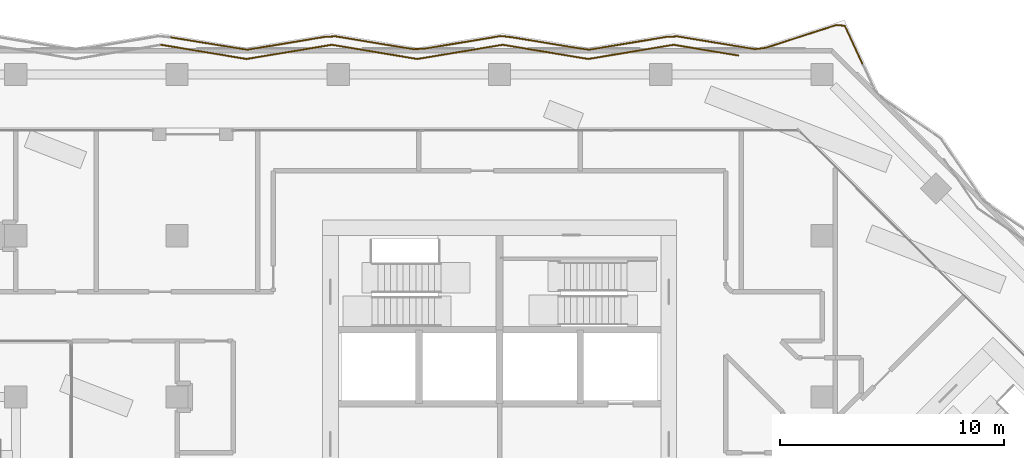
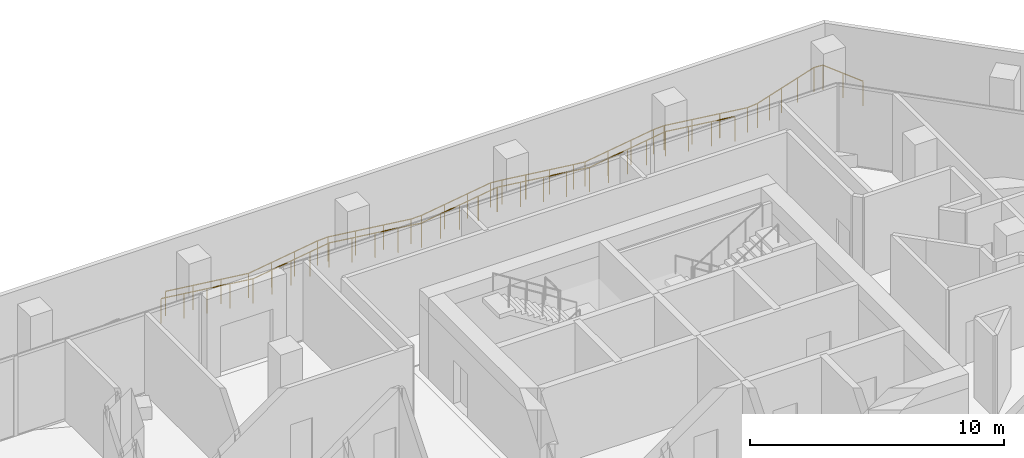
# One storey, part 20 of 23: 24 railings.
"""IFC4 building model written with IfcOpenShell, lengths in metres."""

from ifc_helpers import new_model, si_unit, direction, frame, origin, origin_2d, place, context, subcontext, project, spatial, circle, extrude, material, type_object, element, save


model = new_model("IFC4")

# Units and contexts
model_context = context("Model", 3, precision=1e-05, world=origin(), true_north=direction((0.0, 1.0)))
body_context = subcontext(model_context, "Body", "Model", "MODEL_VIEW")
ifc_project = project(units=[si_unit("LENGTHUNIT", "METRE"), si_unit("AREAUNIT", "SQUARE_METRE"), si_unit("VOLUMEUNIT", "CUBIC_METRE"), si_unit("PLANEANGLEUNIT", "RADIAN"), si_unit("MASSUNIT", "GRAM", prefix="KILO")], contexts=[model_context])

# Site, building, storey
site_placement = place(None, origin())
site = spatial("IfcSite", under=ifc_project, at=site_placement, CompositionType="ELEMENT")
building_placement = place(site_placement, origin())
building = spatial("IfcBuilding", under=site, at=building_placement, Name="Windrow Commons", CompositionType="ELEMENT")
storey_placement = place(building_placement, frame((0.0, 0.0, 122.0)))
storey = spatial("IfcBuildingStorey", under=building, at=storey_placement, Name="L33", CompositionType="ELEMENT", Elevation=122.0)

# Railings
ifc_material = material(Name="Stainless steel S316 balustrade with toughened glass infill", Category="steel")
railing_type = type_object("IfcRailingType", Name="Terrace guard 1200 podium", PredefinedType="BALUSTRADE", material=ifc_material)
railing_1_placement = place(storey_placement, frame((49.6853, 73.3262, 0.05)))
element("IfcRailing", 1, at=railing_1_placement, inside=storey, type_object=railing_type, Name="Guard TR-L33-1.E26", PredefinedType="BALUSTRADE", context=body_context, shape_type="SweptSolid", body=[
    extrude(circle(Radius=0.025, at=origin_2d()), frame((0.0, 0.0, 1.175), z_axis=(0.9865110911, -0.1636944324, 0.0), x_axis=(0.1636944324, 0.9865110911, 0.0)), (0.0, 0.0, 1.0), 3.867),
    extrude(circle(Radius=0.02, at=origin_2d()), origin(), (0.0, 0.0, 1.0), 1.15),
    extrude(circle(Radius=0.02, at=origin_2d()), frame((0.9537, -0.1582, 0.0)), (0.0, 0.0, 1.0), 1.15),
    extrude(circle(Radius=0.02, at=origin_2d()), frame((1.9074, -0.3165, 0.0)), (0.0, 0.0, 1.0), 1.15),
    extrude(circle(Radius=0.02, at=origin_2d()), frame((2.8611, -0.4747, 0.0)), (0.0, 0.0, 1.0), 1.15),
    extrude(circle(Radius=0.02, at=origin_2d()), frame((3.8148, -0.633, 0.0)), (0.0, 0.0, 1.0), 1.15),
])
railing_2_placement = place(storey_placement, frame((53.5001, 72.6932, 0.05)))
element("IfcRailing", 2, at=railing_2_placement, inside=storey, type_object=railing_type, Name="Guard TR-L33-1.E27", PredefinedType="BALUSTRADE", context=body_context, shape_type="SweptSolid", body=[
    extrude(circle(Radius=0.025, at=origin_2d()), frame((0.0, 0.0, 1.175), z_axis=(0.9865110911, 0.1636944324, 0.0), x_axis=(-0.1636944324, 0.9865110911, 0.0)), (0.0, 0.0, 1.0), 3.867),
    extrude(circle(Radius=0.02, at=origin_2d()), origin(), (0.0, 0.0, 1.0), 1.15),
    extrude(circle(Radius=0.02, at=origin_2d()), frame((0.9537, 0.1582, 0.0)), (0.0, 0.0, 1.0), 1.15),
    extrude(circle(Radius=0.02, at=origin_2d()), frame((1.9074, 0.3165, 0.0)), (0.0, 0.0, 1.0), 1.15),
    extrude(circle(Radius=0.02, at=origin_2d()), frame((2.8611, 0.4747, 0.0)), (0.0, 0.0, 1.0), 1.15),
    extrude(circle(Radius=0.02, at=origin_2d()), frame((3.8148, 0.633, 0.0)), (0.0, 0.0, 1.0), 1.15),
])
railing_3_placement = place(storey_placement, frame((57.3149, 73.3262, 0.05)))
element("IfcRailing", 3, at=railing_3_placement, inside=storey, type_object=railing_type, Name="Guard TR-L33-1.E28", PredefinedType="BALUSTRADE", context=body_context, shape_type="SweptSolid", body=[
    extrude(circle(Radius=0.025, at=origin_2d()), frame((0.0, 0.0, 1.175), z_axis=(0.9865110911, -0.1636944324, 0.0), x_axis=(0.1636944324, 0.9865110911, 0.0)), (0.0, 0.0, 1.0), 3.867),
    extrude(circle(Radius=0.02, at=origin_2d()), origin(), (0.0, 0.0, 1.0), 1.15),
    extrude(circle(Radius=0.02, at=origin_2d()), frame((0.9537, -0.1582, 0.0)), (0.0, 0.0, 1.0), 1.15),
    extrude(circle(Radius=0.02, at=origin_2d()), frame((1.9074, -0.3165, 0.0)), (0.0, 0.0, 1.0), 1.15),
    extrude(circle(Radius=0.02, at=origin_2d()), frame((2.8611, -0.4747, 0.0)), (0.0, 0.0, 1.0), 1.15),
    extrude(circle(Radius=0.02, at=origin_2d()), frame((3.8148, -0.633, 0.0)), (0.0, 0.0, 1.0), 1.15),
])
railing_4_placement = place(storey_placement, frame((61.1297, 72.6932, 0.05)))
element("IfcRailing", 4, at=railing_4_placement, inside=storey, type_object=railing_type, Name="Guard TR-L33-1.E29", PredefinedType="BALUSTRADE", context=body_context, shape_type="SweptSolid", body=[
    extrude(circle(Radius=0.025, at=origin_2d()), frame((0.0, 0.0, 1.175), z_axis=(0.9865103981, 0.1636986085, 0.0), x_axis=(-0.1636986085, 0.9865103981, 0.0)), (0.0, 0.0, 1.0), 3.8669),
    extrude(circle(Radius=0.02, at=origin_2d()), origin(), (0.0, 0.0, 1.0), 1.15),
    extrude(circle(Radius=0.02, at=origin_2d()), frame((0.9537, 0.1582, 0.0)), (0.0, 0.0, 1.0), 1.15),
    extrude(circle(Radius=0.02, at=origin_2d()), frame((1.9074, 0.3165, 0.0)), (0.0, 0.0, 1.0), 1.15),
    extrude(circle(Radius=0.02, at=origin_2d()), frame((2.861, 0.4747, 0.0)), (0.0, 0.0, 1.0), 1.15),
    extrude(circle(Radius=0.02, at=origin_2d()), frame((3.8147, 0.633, 0.0)), (0.0, 0.0, 1.0), 1.15),
])
railing_5_placement = place(storey_placement, frame((64.9444, 73.3262, 0.05)))
element("IfcRailing", 5, at=railing_5_placement, inside=storey, type_object=railing_type, Name="Guard TR-L33-1.E30", PredefinedType="BALUSTRADE", context=body_context, shape_type="SweptSolid", body=[
    extrude(circle(Radius=0.025, at=origin_2d()), frame((0.0, 0.0, 1.175), z_axis=(0.9865110911, -0.1636944324, 0.0), x_axis=(0.1636944324, 0.9865110911, 0.0)), (0.0, 0.0, 1.0), 3.867),
    extrude(circle(Radius=0.02, at=origin_2d()), origin(), (0.0, 0.0, 1.0), 1.15),
    extrude(circle(Radius=0.02, at=origin_2d()), frame((0.9537, -0.1582, 0.0)), (0.0, 0.0, 1.0), 1.15),
    extrude(circle(Radius=0.02, at=origin_2d()), frame((1.9074, -0.3165, 0.0)), (0.0, 0.0, 1.0), 1.15),
    extrude(circle(Radius=0.02, at=origin_2d()), frame((2.8611, -0.4747, 0.0)), (0.0, 0.0, 1.0), 1.15),
    extrude(circle(Radius=0.02, at=origin_2d()), frame((3.8148, -0.633, 0.0)), (0.0, 0.0, 1.0), 1.15),
])
railing_6_placement = place(storey_placement, frame((68.7592, 72.6932, 0.05)))
element("IfcRailing", 6, at=railing_6_placement, inside=storey, type_object=railing_type, Name="Guard TR-L33-1.E31", PredefinedType="BALUSTRADE", context=body_context, shape_type="SweptSolid", body=[
    extrude(circle(Radius=0.025, at=origin_2d()), frame((0.0, 0.0, 1.175), z_axis=(0.9865110911, 0.1636944324, 0.0), x_axis=(-0.1636944324, 0.9865110911, 0.0)), (0.0, 0.0, 1.0), 3.867),
    extrude(circle(Radius=0.02, at=origin_2d()), origin(), (0.0, 0.0, 1.0), 1.15),
    extrude(circle(Radius=0.02, at=origin_2d()), frame((0.9537, 0.1582, 0.0)), (0.0, 0.0, 1.0), 1.15),
    extrude(circle(Radius=0.02, at=origin_2d()), frame((1.9074, 0.3165, 0.0)), (0.0, 0.0, 1.0), 1.15),
    extrude(circle(Radius=0.02, at=origin_2d()), frame((2.8611, 0.4747, 0.0)), (0.0, 0.0, 1.0), 1.15),
    extrude(circle(Radius=0.02, at=origin_2d()), frame((3.8148, 0.633, 0.0)), (0.0, 0.0, 1.0), 1.15),
])
railing_7_placement = place(storey_placement, frame((72.574, 73.3262, 0.05)))
element("IfcRailing", 7, at=railing_7_placement, inside=storey, type_object=railing_type, Name="Guard TR-L33-1.E32", PredefinedType="BALUSTRADE", context=body_context, shape_type="SweptSolid", body=[
    extrude(circle(Radius=0.025, at=origin_2d()), frame((0.0, 0.0, 1.175), z_axis=(0.9865094058, -0.1637045887, 0.0), x_axis=(0.1637045887, 0.9865094058, 0.0)), (0.0, 0.0, 1.0), 2.9193),
    extrude(circle(Radius=0.02, at=origin_2d()), origin(), (0.0, 0.0, 1.0), 1.15),
    extrude(circle(Radius=0.02, at=origin_2d()), frame((0.96, -0.1593, 0.0)), (0.0, 0.0, 1.0), 1.15),
    extrude(circle(Radius=0.02, at=origin_2d()), frame((1.9199, -0.3186, 0.0)), (0.0, 0.0, 1.0), 1.15),
    extrude(circle(Radius=0.02, at=origin_2d()), frame((2.8799, -0.4779, 0.0)), (0.0, 0.0, 1.0), 1.15),
])
railing_8_placement = place(storey_placement, frame((78.0064, 73.6177, 0.05)))
element("IfcRailing", 8, at=railing_8_placement, inside=storey, type_object=railing_type, Name="Guard TR-L33-1.C44", PredefinedType="BALUSTRADE", context=body_context, shape_type="SweptSolid", body=[
    extrude(circle(Radius=0.025, at=origin_2d()), frame((0.0, 0.0, 1.175), z_axis=(0.9515211239, 0.3075834045, 0.0), x_axis=(-0.3075834045, 0.9515211239, 0.0)), (0.0, 0.0, 1.0), 1.9221),
    extrude(circle(Radius=0.02, at=origin_2d()), origin(), (0.0, 0.0, 1.0), 1.15),
    extrude(circle(Radius=0.02, at=origin_2d()), frame((0.9145, 0.2956, 0.0)), (0.0, 0.0, 1.0), 1.15),
    extrude(circle(Radius=0.02, at=origin_2d()), frame((1.8289, 0.5912, 0.0)), (0.0, 0.0, 1.0), 1.15),
])
railing_9_placement = place(storey_placement, frame((79.8353, 74.2089, 0.05)))
element("IfcRailing", 9, at=railing_9_placement, inside=storey, type_object=railing_type, Name="Guard TR-L33-1.C45", PredefinedType="BALUSTRADE", context=body_context, shape_type="SweptSolid", body=[
    extrude(circle(Radius=0.025, at=origin_2d()), frame((0.0, 0.0, 1.175), z_axis=(0.9960788306, -0.0884701261, 0.0), x_axis=(0.0884701261, 0.9960788306, 0.0)), (0.0, 0.0, 1.0), 0.3798),
    extrude(circle(Radius=0.02, at=origin_2d()), origin(), (0.0, 0.0, 1.0), 1.15),
    extrude(circle(Radius=0.02, at=origin_2d()), frame((0.3783, -0.0336, 0.0)), (0.0, 0.0, 1.0), 1.15),
])
railing_10_placement = place(storey_placement, frame((80.2136, 74.1753, 0.05)))
element("IfcRailing", 10, at=railing_10_placement, inside=storey, type_object=railing_type, Name="Guard TR-L33-1.C46", PredefinedType="BALUSTRADE", context=body_context, shape_type="SweptSolid", body=[
    extrude(circle(Radius=0.025, at=origin_2d()), frame((0.0, 0.0, 1.175), z_axis=(0.4230164731, -0.9061219915, 0.0), x_axis=(0.9061219915, 0.4230164731, 0.0)), (0.0, 0.0, 1.0), 1.9221),
    extrude(circle(Radius=0.02, at=origin_2d()), origin(), (0.0, 0.0, 1.0), 1.15),
    extrude(circle(Radius=0.02, at=origin_2d()), frame((0.4066, -0.8708, 0.0)), (0.0, 0.0, 1.0), 1.15),
    extrude(circle(Radius=0.02, at=origin_2d()), frame((0.8131, -1.7417, 0.0)), (0.0, 0.0, 1.0), 1.15),
])
railing_11_placement = place(storey_placement, frame((50.0823, 73.6658, 0.05)))
element("IfcRailing", 11, at=railing_11_placement, inside=storey, type_object=railing_type, Name="Guard TR-L33-1.C103", PredefinedType="BALUSTRADE", context=body_context, shape_type="SweptSolid", body=[
    extrude(circle(Radius=0.025, at=origin_2d()), frame((0.0, 0.0, 1.175), z_axis=(0.9869732573, -0.1608843975, 0.0), x_axis=(0.1608843975, 0.9869732573, 0.0)), (0.0, 0.0, 1.0), 3.4938),
    extrude(circle(Radius=0.02, at=origin_2d()), origin(), (0.0, 0.0, 1.0), 1.15),
    extrude(circle(Radius=0.02, at=origin_2d()), frame((1.1494, -0.1874, 0.0)), (0.0, 0.0, 1.0), 1.15),
    extrude(circle(Radius=0.02, at=origin_2d()), frame((2.2989, -0.3747, 0.0)), (0.0, 0.0, 1.0), 1.15),
    extrude(circle(Radius=0.02, at=origin_2d()), frame((3.4483, -0.5621, 0.0)), (0.0, 0.0, 1.0), 1.15),
])
railing_12_placement = place(storey_placement, frame((53.5306, 73.1037, 0.05)))
element("IfcRailing", 12, at=railing_12_placement, inside=storey, type_object=railing_type, Name="Guard TR-L33-1.C104", PredefinedType="BALUSTRADE", context=body_context, shape_type="SweptSolid", body=[
    extrude(circle(Radius=0.025, at=origin_2d()), frame((0.0, 0.0, 1.175), z_axis=(0.9865096624, 0.1637030418, 0.0), x_axis=(-0.1637030418, 0.9865096624, 0.0)), (0.0, 0.0, 1.0), 3.4954),
    extrude(circle(Radius=0.02, at=origin_2d()), origin(), (0.0, 0.0, 1.0), 1.15),
    extrude(circle(Radius=0.02, at=origin_2d()), frame((1.1494, 0.1907, 0.0)), (0.0, 0.0, 1.0), 1.15),
    extrude(circle(Radius=0.02, at=origin_2d()), frame((2.2988, 0.3815, 0.0)), (0.0, 0.0, 1.0), 1.15),
    extrude(circle(Radius=0.02, at=origin_2d()), frame((3.4482, 0.5722, 0.0)), (0.0, 0.0, 1.0), 1.15),
])
railing_13_placement = place(storey_placement, frame((56.9788, 73.6759, 0.05)))
element("IfcRailing", 13, at=railing_13_placement, inside=storey, type_object=railing_type, Name="Guard TR-L33-1.C105", PredefinedType="BALUSTRADE", context=body_context, shape_type="SweptSolid", body=[
    extrude(circle(Radius=0.025, at=origin_2d()), frame((0.0, 0.0, 1.175), z_axis=(0.9981751647, 0.0603849369, 0.0), x_axis=(-0.0603849369, 0.9981751647, 0.0)), (0.0, 0.0, 1.0), 0.4935),
    extrude(circle(Radius=0.02, at=origin_2d()), origin(), (0.0, 0.0, 1.0), 1.15),
    extrude(circle(Radius=0.02, at=origin_2d()), frame((0.4926, 0.0298, 0.0)), (0.0, 0.0, 1.0), 1.15),
])
railing_14_placement = place(storey_placement, frame((57.4714, 73.7057, 0.05)))
element("IfcRailing", 14, at=railing_14_placement, inside=storey, type_object=railing_type, Name="Guard TR-L33-1.C106", PredefinedType="BALUSTRADE", context=body_context, shape_type="SweptSolid", body=[
    extrude(circle(Radius=0.025, at=origin_2d()), frame((0.0, 0.0, 1.175), z_axis=(0.9865104291, -0.1636984217, 0.0), x_axis=(0.1636984217, 0.9865104291, 0.0)), (0.0, 0.0, 1.0), 3.4955),
    extrude(circle(Radius=0.02, at=origin_2d()), origin(), (0.0, 0.0, 1.0), 1.15),
    extrude(circle(Radius=0.02, at=origin_2d()), frame((1.1494, -0.1907, 0.0)), (0.0, 0.0, 1.0), 1.15),
    extrude(circle(Radius=0.02, at=origin_2d()), frame((2.2989, -0.3815, 0.0)), (0.0, 0.0, 1.0), 1.15),
    extrude(circle(Radius=0.02, at=origin_2d()), frame((3.4483, -0.5722, 0.0)), (0.0, 0.0, 1.0), 1.15),
])
railing_15_placement = place(storey_placement, frame((60.9197, 73.1335, 0.05)))
element("IfcRailing", 15, at=railing_15_placement, inside=storey, type_object=railing_type, Name="Guard TR-L33-1.C107", PredefinedType="BALUSTRADE", context=body_context, shape_type="SweptSolid", body=[
    extrude(circle(Radius=0.025, at=origin_2d()), frame((0.0, 0.0, 1.175), z_axis=(0.9997034141, 0.0243533109, 0.0), x_axis=(-0.0243533109, 0.9997034141, 0.0)), (0.0, 0.0, 1.0), 0.4927),
    extrude(circle(Radius=0.02, at=origin_2d()), origin(), (0.0, 0.0, 1.0), 1.15),
    extrude(circle(Radius=0.02, at=origin_2d()), frame((0.4926, 0.012, 0.0)), (0.0, 0.0, 1.0), 1.15),
])
railing_16_placement = place(storey_placement, frame((61.4123, 73.1455, 0.05)))
element("IfcRailing", 16, at=railing_16_placement, inside=storey, type_object=railing_type, Name="Guard TR-L33-1.C108", PredefinedType="BALUSTRADE", context=body_context, shape_type="SweptSolid", body=[
    extrude(circle(Radius=0.025, at=origin_2d()), frame((0.0, 0.0, 1.175), z_axis=(0.9865104291, 0.1636984217, 0.0), x_axis=(-0.1636984217, 0.9865104291, 0.0)), (0.0, 0.0, 1.0), 3.4955),
    extrude(circle(Radius=0.02, at=origin_2d()), origin(), (0.0, 0.0, 1.0), 1.15),
    extrude(circle(Radius=0.02, at=origin_2d()), frame((1.1494, 0.1907, 0.0)), (0.0, 0.0, 1.0), 1.15),
    extrude(circle(Radius=0.02, at=origin_2d()), frame((2.2989, 0.3815, 0.0)), (0.0, 0.0, 1.0), 1.15),
    extrude(circle(Radius=0.02, at=origin_2d()), frame((3.4483, 0.5722, 0.0)), (0.0, 0.0, 1.0), 1.15),
])
railing_17_placement = place(storey_placement, frame((64.8606, 73.7177, 0.05)))
element("IfcRailing", 17, at=railing_17_placement, inside=storey, type_object=railing_type, Name="Guard TR-L33-1.C109", PredefinedType="BALUSTRADE", context=body_context, shape_type="SweptSolid", body=[
    extrude(circle(Radius=0.025, at=origin_2d()), frame((0.0, 0.0, 1.175), z_axis=(0.9940669197, -0.1087702131, 0.0), x_axis=(0.1087702131, 0.9940669197, 0.0)), (0.0, 0.0, 1.0), 0.4955),
    extrude(circle(Radius=0.02, at=origin_2d()), origin(), (0.0, 0.0, 1.0), 1.15),
    extrude(circle(Radius=0.02, at=origin_2d()), frame((0.4926, -0.0539, 0.0)), (0.0, 0.0, 1.0), 1.15),
])
railing_18_placement = place(storey_placement, frame((65.3532, 73.6638, 0.05)))
element("IfcRailing", 18, at=railing_18_placement, inside=storey, type_object=railing_type, Name="Guard TR-L33-1.C110", PredefinedType="BALUSTRADE", context=body_context, shape_type="SweptSolid", body=[
    extrude(circle(Radius=0.025, at=origin_2d()), frame((0.0, 0.0, 1.175), z_axis=(0.9865127425, -0.1636844799, 0.0), x_axis=(0.1636844799, 0.9865127425, 0.0)), (0.0, 0.0, 1.0), 2.996),
    extrude(circle(Radius=0.02, at=origin_2d()), origin(), (0.0, 0.0, 1.0), 1.15),
    extrude(circle(Radius=0.02, at=origin_2d()), frame((0.9852, -0.1635, 0.0)), (0.0, 0.0, 1.0), 1.15),
    extrude(circle(Radius=0.02, at=origin_2d()), frame((1.9704, -0.3269, 0.0)), (0.0, 0.0, 1.0), 1.15),
    extrude(circle(Radius=0.02, at=origin_2d()), frame((2.9556, -0.4904, 0.0)), (0.0, 0.0, 1.0), 1.15),
])
railing_19_placement = place(storey_placement, frame((68.3088, 73.1734, 0.05)))
element("IfcRailing", 19, at=railing_19_placement, inside=storey, type_object=railing_type, Name="Guard TR-L33-1.C111", PredefinedType="BALUSTRADE", context=body_context, shape_type="SweptSolid", body=[
    extrude(circle(Radius=0.025, at=origin_2d()), frame((0.0, 0.0, 1.175), z_axis=(0.9906605118, -0.1363515686, 0.0), x_axis=(0.1363515686, 0.9906605118, 0.0)), (0.0, 0.0, 1.0), 0.4972),
    extrude(circle(Radius=0.02, at=origin_2d()), origin(), (0.0, 0.0, 1.0), 1.15),
    extrude(circle(Radius=0.02, at=origin_2d()), frame((0.4926, -0.0678, 0.0)), (0.0, 0.0, 1.0), 1.15),
])
railing_20_placement = place(storey_placement, frame((68.8014, 73.1056, 0.05)))
element("IfcRailing", 20, at=railing_20_placement, inside=storey, type_object=railing_type, Name="Guard TR-L33-1.C112", PredefinedType="BALUSTRADE", context=body_context, shape_type="SweptSolid", body=[
    extrude(circle(Radius=0.025, at=origin_2d()), frame((0.0, 0.0, 1.175), z_axis=(0.9865104291, 0.1636984217, 0.0), x_axis=(-0.1636984217, 0.9865104291, 0.0)), (0.0, 0.0, 1.0), 3.4955),
    extrude(circle(Radius=0.02, at=origin_2d()), origin(), (0.0, 0.0, 1.0), 1.15),
    extrude(circle(Radius=0.02, at=origin_2d()), frame((1.1494, 0.1907, 0.0)), (0.0, 0.0, 1.0), 1.15),
    extrude(circle(Radius=0.02, at=origin_2d()), frame((2.2989, 0.3815, 0.0)), (0.0, 0.0, 1.0), 1.15),
    extrude(circle(Radius=0.02, at=origin_2d()), frame((3.4483, 0.5722, 0.0)), (0.0, 0.0, 1.0), 1.15),
])
railing_21_placement = place(storey_placement, frame((72.2497, 73.6778, 0.05)))
element("IfcRailing", 21, at=railing_21_placement, inside=storey, type_object=railing_type, Name="Guard TR-L33-1.C113", PredefinedType="BALUSTRADE", context=body_context, shape_type="SweptSolid", body=[
    extrude(circle(Radius=0.025, at=origin_2d()), frame((0.0, 0.0, 1.175), z_axis=(0.998620628, 0.0525056319, 0.0), x_axis=(-0.0525056319, 0.998620628, 0.0)), (0.0, 0.0, 1.0), 0.4933),
    extrude(circle(Radius=0.02, at=origin_2d()), origin(), (0.0, 0.0, 1.0), 1.15),
    extrude(circle(Radius=0.02, at=origin_2d()), frame((0.4926, 0.0259, 0.0)), (0.0, 0.0, 1.0), 1.15),
])
railing_22_placement = place(storey_placement, frame((72.7423, 73.7037, 0.05)))
element("IfcRailing", 22, at=railing_22_placement, inside=storey, type_object=railing_type, Name="Guard TR-L33-1.C114", PredefinedType="BALUSTRADE", context=body_context, shape_type="SweptSolid", body=[
    extrude(circle(Radius=0.025, at=origin_2d()), frame((0.0, 0.0, 1.175), z_axis=(0.9865096624, -0.1637030418, 0.0), x_axis=(0.1637030418, 0.9865096624, 0.0)), (0.0, 0.0, 1.0), 3.4954),
    extrude(circle(Radius=0.02, at=origin_2d()), origin(), (0.0, 0.0, 1.0), 1.15),
    extrude(circle(Radius=0.02, at=origin_2d()), frame((1.1494, -0.1907, 0.0)), (0.0, 0.0, 1.0), 1.15),
    extrude(circle(Radius=0.02, at=origin_2d()), frame((2.2988, -0.3815, 0.0)), (0.0, 0.0, 1.0), 1.15),
    extrude(circle(Radius=0.02, at=origin_2d()), frame((3.4482, -0.5722, 0.0)), (0.0, 0.0, 1.0), 1.15),
])
railing_23_placement = place(storey_placement, frame((76.1905, 73.1315, 0.05)))
element("IfcRailing", 23, at=railing_23_placement, inside=storey, type_object=railing_type, Name="Guard TR-L33-1.C115", PredefinedType="BALUSTRADE", context=body_context, shape_type="SweptSolid", body=[
    extrude(circle(Radius=0.025, at=origin_2d()), frame((0.0, 0.0, 1.175), z_axis=(0.9934961191, 0.1138659801, 0.0), x_axis=(-0.1138659801, 0.9934961191, 0.0)), (0.0, 0.0, 1.0), 0.4857),
    extrude(circle(Radius=0.02, at=origin_2d()), origin(), (0.0, 0.0, 1.0), 1.15),
    extrude(circle(Radius=0.02, at=origin_2d()), frame((0.4825, 0.0553, 0.0)), (0.0, 0.0, 1.0), 1.15),
])
railing_24_placement = place(storey_placement, frame((76.673, 73.1868, 0.05)))
element("IfcRailing", 24, at=railing_24_placement, inside=storey, type_object=railing_type, Name="Guard TR-L33-1.C116", PredefinedType="BALUSTRADE", context=body_context, shape_type="SweptSolid", body=[
    extrude(circle(Radius=0.025, at=origin_2d()), frame((0.0, 0.0, 1.175), z_axis=(0.9515477367, 0.3075010647, 0.0), x_axis=(-0.3075010647, 0.9515477367, 0.0)), (0.0, 0.0, 1.0), 1.4013),
    extrude(circle(Radius=0.02, at=origin_2d()), origin(), (0.0, 0.0, 1.0), 1.15),
    extrude(circle(Radius=0.02, at=origin_2d()), frame((0.6667, 0.2154, 0.0)), (0.0, 0.0, 1.0), 1.15),
    extrude(circle(Radius=0.02, at=origin_2d()), frame((1.3334, 0.4309, 0.0)), (0.0, 0.0, 1.0), 1.15),
])

save(model, "model.ifc")
